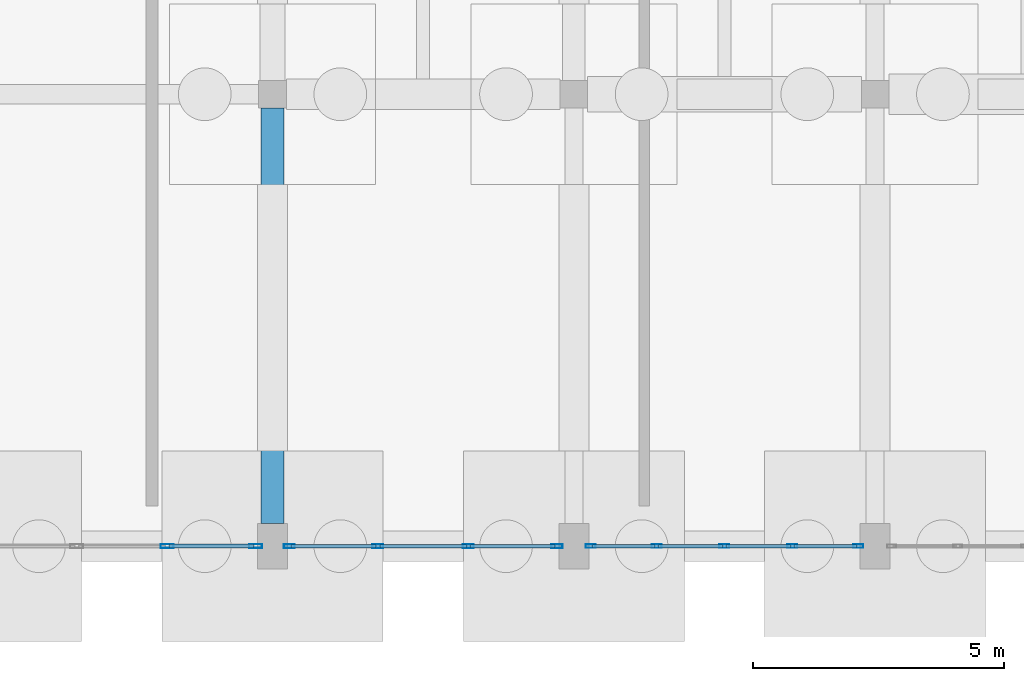
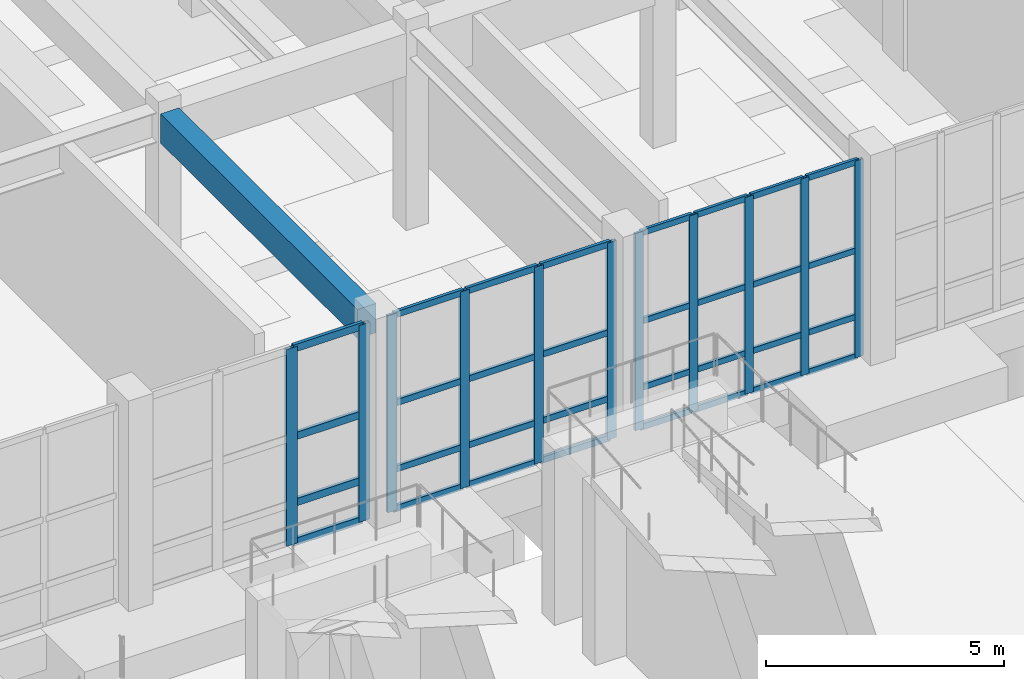
# One storey, part 24 of 69: 43 members, 1 beam, 3 elements without a shape of their own.
"""IFC4 building model written with IfcOpenShell, lengths in metres."""

from ifc_helpers import new_model, si_unit, direction, frame, origin, origin_2d, place, context, subcontext, project, spatial, rectangle, hollow_rectangle, extrude, material, layer, layer_set, material_profile, profile_set, type_object, element, aggregate, save


model = new_model("IFC4")

# Units and contexts
model_context = context("Model", 3, precision=1e-05, world=origin(), true_north=direction((0.0, 1.0)))
body_context = subcontext(model_context, "Body", "Model", "MODEL_VIEW")
ifc_project = project(units=[si_unit("LENGTHUNIT", "METRE"), si_unit("AREAUNIT", "SQUARE_METRE"), si_unit("VOLUMEUNIT", "CUBIC_METRE"), si_unit("PLANEANGLEUNIT", "RADIAN"), si_unit("MASSUNIT", "GRAM", prefix="KILO")], contexts=[model_context])

# Site, building, storey
site_placement = place(None, origin())
site = spatial("IfcSite", under=ifc_project, at=site_placement, CompositionType="ELEMENT")
building_placement = place(site_placement, origin())
building = spatial("IfcBuilding", under=site, at=building_placement, Name="Vaelkrest Opera House", CompositionType="ELEMENT")
storey_placement = place(building_placement, frame((0.0, 0.0, -5.39990234375)))
storey = spatial("IfcBuildingStorey", under=building, at=storey_placement, Name="B1", CompositionType="ELEMENT", Elevation=-5.39990234375)

# Beam
ifc_material_1 = material(Name="Concrete C50/60", Category="concrete")
ifc_material_profile_1 = material_profile(ifc_material_1, rectangle(XDim=0.449951171875, YDim=0.75, at=origin_2d()), Name="RCB450X750")
ifc_profile_set_1 = profile_set([ifc_material_profile_1], Name="Concrete C50/60")
beam_type = type_object("IfcBeamType", Name="B02", PredefinedType="BEAM", material=ifc_profile_set_1)
beam_placement = place(storey_placement, frame((-51.60009765625, -16.35009765625, 4.704833984375), z_axis=(0.0, 1.0, 0.0), x_axis=(-1.0, 0.0, 0.0)))
element("IfcBeam", 1, at=beam_placement, inside=storey, type_object=beam_type, Name="Beam BM-V3-B1-1335", PredefinedType="BEAM", context=body_context, shape_type="SweptSolid", body=[
    extrude(rectangle(XDim=0.449951171875, YDim=0.75, at=origin_2d()), origin(), (0.0, 0.0, 1.0), 8.275146484375),
])

# Curtain wall, members
ifc_material_2 = material(Name="Dark bronze anodized aluminium", Category="aluminium")
ifc_layer_1 = layer(ifc_material_2, 0.18994140625)
ifc_layer_set_1 = layer_set([ifc_layer_1], Name="Dark bronze anodized aluminium")
curtain_wall_type_1 = type_object("IfcCurtainWallType", Name="CW02", PredefinedType="NOTDEFINED", material=ifc_layer_set_1)
curtain_wall_1_placement = place(storey_placement, origin())
curtain_wall_1 = element("IfcCurtainWall", 2, at=curtain_wall_1_placement, inside=storey, type_object=curtain_wall_type_1, Name="Curtain wall CW-B1-082", PredefinedType="NOTDEFINED")
ifc_material_profile_2 = material_profile(ifc_material_2, hollow_rectangle(XDim=0.070068359375, YDim=0.199951171875, WallThickness=0.004150390625, at=origin_2d()), Name="CWM70X200")
ifc_profile_set_2 = profile_set([ifc_material_profile_2], Name="Dark bronze anodized aluminium")
member_type_1 = type_object("IfcMemberType", Name="CWM02", PredefinedType="MULLION", material=ifc_profile_set_2)
member_1_placement = place(storey_placement, frame((-39.93310546875, -16.800048828125, 0.0), z_axis=(0.0, 0.0, 1.0), x_axis=(0.0, -1.0, 0.0)))
member_1 = element("IfcMember", 3, at=member_1_placement, type_object=member_type_1, Name="CW02 mullion 1", PredefinedType="MULLION", context=body_context, shape_type="SweptSolid", body=[
    extrude(hollow_rectangle(XDim=0.070068359375, YDim=0.199951171875, WallThickness=0.004150390625, at=origin_2d()), origin(), (0.0, 0.0, 1.0), 5.0498046875),
])
member_2_placement = place(storey_placement, frame((-41.2490234375, -16.800048828125, 0.0), z_axis=(0.0, 0.0, 1.0), x_axis=(0.0, -1.0, 0.0)))
member_2 = element("IfcMember", 4, at=member_2_placement, type_object=member_type_1, Name="CW02 mullion 2", PredefinedType="MULLION", context=body_context, shape_type="SweptSolid", body=[
    extrude(hollow_rectangle(XDim=0.070068359375, YDim=0.199951171875, WallThickness=0.004150390625, at=origin_2d()), origin(), (0.0, 0.0, 1.0), 5.0498046875),
])
member_3_placement = place(storey_placement, frame((-42.60009765625, -16.800048828125, 0.0), z_axis=(0.0, 0.0, 1.0), x_axis=(0.0, -1.0, 0.0)))
member_3 = element("IfcMember", 5, at=member_3_placement, type_object=member_type_1, Name="CW02 mullion 3", PredefinedType="MULLION", context=body_context, shape_type="SweptSolid", body=[
    extrude(hollow_rectangle(XDim=0.070068359375, YDim=0.199951171875, WallThickness=0.004150390625, at=origin_2d()), origin(), (0.0, 0.0, 1.0), 5.0498046875),
])
member_4_placement = place(storey_placement, frame((-43.950927734375, -16.800048828125, 0.0), z_axis=(0.0, 0.0, 1.0), x_axis=(0.0, -1.0, 0.0)))
member_4 = element("IfcMember", 6, at=member_4_placement, type_object=member_type_1, Name="CW02 mullion 4", PredefinedType="MULLION", context=body_context, shape_type="SweptSolid", body=[
    extrude(hollow_rectangle(XDim=0.070068359375, YDim=0.199951171875, WallThickness=0.004150390625, at=origin_2d()), origin(), (0.0, 0.0, 1.0), 5.0498046875),
])
member_5_placement = place(storey_placement, frame((-45.26708984375, -16.800048828125, 0.0), z_axis=(0.0, 0.0, 1.0), x_axis=(0.0, -1.0, 0.0)))
member_5 = element("IfcMember", 7, at=member_5_placement, type_object=member_type_1, Name="CW02 mullion 5", PredefinedType="MULLION", context=body_context, shape_type="SweptSolid", body=[
    extrude(hollow_rectangle(XDim=0.070068359375, YDim=0.199951171875, WallThickness=0.004150390625, at=origin_2d()), origin(), (0.0, 0.0, 1.0), 5.0498046875),
])

ifc_layer_2 = layer(ifc_material_2, 0.199951171875)
ifc_layer_set_2 = layer_set([ifc_layer_2], Name="Dark bronze anodized aluminium")
curtain_wall_type_2 = type_object("IfcCurtainWallType", Name="CW03", PredefinedType="NOTDEFINED", material=ifc_layer_set_2)
curtain_wall_2_placement = place(storey_placement, origin())
curtain_wall_2 = element("IfcCurtainWall", 8, at=curtain_wall_2_placement, inside=storey, type_object=curtain_wall_type_2, Name="Curtain wall CW-B1-083", PredefinedType="NOTDEFINED")
ifc_material_profile_3 = material_profile(ifc_material_2, hollow_rectangle(XDim=0.074951171875, YDim=0.219970703125, WallThickness=0.00439453125, at=origin_2d()), Name="CWM75X220")
ifc_profile_set_3 = profile_set([ifc_material_profile_3], Name="Dark bronze anodized aluminium")
member_type_2 = type_object("IfcMemberType", Name="CWM03", PredefinedType="MULLION", material=ifc_profile_set_3)
member_6_placement = place(storey_placement, frame((-45.935546875, -16.800048828125, 0.0), z_axis=(0.0, 0.0, 1.0), x_axis=(0.0, -1.0, 0.0)))
member_6 = element("IfcMember", 9, at=member_6_placement, type_object=member_type_2, Name="CW03 mullion 1", PredefinedType="MULLION", context=body_context, shape_type="SweptSolid", body=[
    extrude(hollow_rectangle(XDim=0.074951171875, YDim=0.219970703125, WallThickness=0.00439453125, at=origin_2d()), origin(), (0.0, 0.0, 1.0), 5.0498046875),
])
member_7_placement = place(storey_placement, frame((-47.69921875, -16.800048828125, 0.0), z_axis=(0.0, 0.0, 1.0), x_axis=(0.0, -1.0, 0.0)))
member_7 = element("IfcMember", 10, at=member_7_placement, type_object=member_type_2, Name="CW03 mullion 2", PredefinedType="MULLION", context=body_context, shape_type="SweptSolid", body=[
    extrude(hollow_rectangle(XDim=0.074951171875, YDim=0.219970703125, WallThickness=0.00439453125, at=origin_2d()), origin(), (0.0, 0.0, 1.0), 5.0498046875),
])
member_8_placement = place(storey_placement, frame((-49.500732421875, -16.800048828125, 0.0), z_axis=(0.0, 0.0, 1.0), x_axis=(0.0, -1.0, 0.0)))
member_8 = element("IfcMember", 11, at=member_8_placement, type_object=member_type_2, Name="CW03 mullion 3", PredefinedType="MULLION", context=body_context, shape_type="SweptSolid", body=[
    extrude(hollow_rectangle(XDim=0.074951171875, YDim=0.219970703125, WallThickness=0.00439453125, at=origin_2d()), origin(), (0.0, 0.0, 1.0), 5.0498046875),
])
member_9_placement = place(storey_placement, frame((-51.264404296875, -16.800048828125, 0.0), z_axis=(0.0, 0.0, 1.0), x_axis=(0.0, -1.0, 0.0)))
member_9 = element("IfcMember", 12, at=member_9_placement, type_object=member_type_2, Name="CW03 mullion 4", PredefinedType="MULLION", context=body_context, shape_type="SweptSolid", body=[
    extrude(hollow_rectangle(XDim=0.074951171875, YDim=0.219970703125, WallThickness=0.00439453125, at=origin_2d()), origin(), (0.0, 0.0, 1.0), 5.0498046875),
])

ifc_layer_3 = layer(ifc_material_2, 0.2099609375)
ifc_layer_set_3 = layer_set([ifc_layer_3], Name="Dark bronze anodized aluminium")
curtain_wall_type_3 = type_object("IfcCurtainWallType", Name="CW04", PredefinedType="NOTDEFINED", material=ifc_layer_set_3)
curtain_wall_3_placement = place(storey_placement, origin())
curtain_wall_3 = element("IfcCurtainWall", 13, at=curtain_wall_3_placement, inside=storey, type_object=curtain_wall_type_3, Name="Curtain wall CW-B1-084", PredefinedType="NOTDEFINED")
ifc_material_profile_4 = material_profile(ifc_material_2, hollow_rectangle(XDim=0.080078125, YDim=0.260009765625, WallThickness=0.0048828125, at=origin_2d()), Name="CWM80X260")
ifc_profile_set_4 = profile_set([ifc_material_profile_4], Name="Dark bronze anodized aluminium")
member_type_3 = type_object("IfcMemberType", Name="CWM04", PredefinedType="MULLION", material=ifc_profile_set_4)
member_10_placement = place(storey_placement, frame((-51.93798828125, -16.800048828125, 0.0), z_axis=(0.0, 0.0, 1.0), x_axis=(0.0, -1.0, 0.0)))
member_10 = element("IfcMember", 14, at=member_10_placement, type_object=member_type_3, Name="CW04 mullion 1", PredefinedType="MULLION", context=body_context, shape_type="SweptSolid", body=[
    extrude(hollow_rectangle(XDim=0.080078125, YDim=0.260009765625, WallThickness=0.0048828125, at=origin_2d()), origin(), (0.0, 0.0, 1.0), 5.0498046875),
])
member_11_placement = place(storey_placement, frame((-53.69921875, -16.800048828125, 0.0), z_axis=(0.0, 0.0, 1.0), x_axis=(0.0, -1.0, 0.0)))
member_11 = element("IfcMember", 15, at=member_11_placement, type_object=member_type_3, Name="CW04 mullion 2", PredefinedType="MULLION", context=body_context, shape_type="SweptSolid", body=[
    extrude(hollow_rectangle(XDim=0.080078125, YDim=0.260009765625, WallThickness=0.0048828125, at=origin_2d()), origin(), (0.0, 0.0, 1.0), 5.0498046875),
])

# Member
ifc_material_profile_5 = material_profile(ifc_material_2, hollow_rectangle(XDim=0.070068359375, YDim=0.14990234375, WallThickness=0.004150390625, at=origin_2d()), Name="CWT70X150")
ifc_profile_set_5 = profile_set([ifc_material_profile_5], Name="Dark bronze anodized aluminium")
member_type_4 = type_object("IfcMemberType", Name="CWT02", PredefinedType="USERDEFINED", material=ifc_profile_set_5)
member_12_placement = place(storey_placement, frame((-39.968017578125, -16.800048828125, 0.034912109375), z_axis=(-1.0, 0.0, 0.0), x_axis=(0.0, -1.0, 0.0)))
member_12 = element("IfcMember", 16, at=member_12_placement, type_object=member_type_4, Name="CW02 transom 1.1", ObjectType="TRANSOM", PredefinedType="USERDEFINED", context=body_context, shape_type="SweptSolid", body=[
    extrude(hollow_rectangle(XDim=0.070068359375, YDim=0.14990234375, WallThickness=0.004150390625, at=origin_2d()), origin(), (0.0, 0.0, 1.0), 1.24609375),
])

member_13_placement = place(storey_placement, frame((-39.968017578125, -16.800048828125, 1.0498046875), z_axis=(-1.0, 0.0, 0.0), x_axis=(0.0, -1.0, 0.0)))
member_13 = element("IfcMember", 17, at=member_13_placement, type_object=member_type_4, Name="CW02 transom 1.2", ObjectType="TRANSOM", PredefinedType="USERDEFINED", context=body_context, shape_type="SweptSolid", body=[
    extrude(hollow_rectangle(XDim=0.070068359375, YDim=0.14990234375, WallThickness=0.004150390625, at=origin_2d()), origin(), (0.0, 0.0, 1.0), 1.24609375),
])

member_14_placement = place(storey_placement, frame((-39.968017578125, -16.800048828125, 2.75), z_axis=(-1.0, 0.0, 0.0), x_axis=(0.0, -1.0, 0.0)))
member_14 = element("IfcMember", 18, at=member_14_placement, type_object=member_type_4, Name="CW02 transom 1.3", ObjectType="TRANSOM", PredefinedType="USERDEFINED", context=body_context, shape_type="SweptSolid", body=[
    extrude(hollow_rectangle(XDim=0.070068359375, YDim=0.14990234375, WallThickness=0.004150390625, at=origin_2d()), origin(), (0.0, 0.0, 1.0), 1.24609375),
])

member_15_placement = place(storey_placement, frame((-39.968017578125, -16.800048828125, 5.014892578125), z_axis=(-1.0, 0.0, 0.0), x_axis=(0.0, -1.0, 0.0)))
member_15 = element("IfcMember", 19, at=member_15_placement, type_object=member_type_4, Name="CW02 transom 1.4", ObjectType="TRANSOM", PredefinedType="USERDEFINED", context=body_context, shape_type="SweptSolid", body=[
    extrude(hollow_rectangle(XDim=0.070068359375, YDim=0.14990234375, WallThickness=0.004150390625, at=origin_2d()), origin(), (0.0, 0.0, 1.0), 1.24609375),
])

member_16_placement = place(storey_placement, frame((-41.283935546875, -16.800048828125, 0.034912109375), z_axis=(-1.0, 0.0, 0.0), x_axis=(0.0, -1.0, 0.0)))
member_16 = element("IfcMember", 20, at=member_16_placement, type_object=member_type_4, Name="CW02 transom 2.1", ObjectType="TRANSOM", PredefinedType="USERDEFINED", context=body_context, shape_type="SweptSolid", body=[
    extrude(hollow_rectangle(XDim=0.070068359375, YDim=0.14990234375, WallThickness=0.004150390625, at=origin_2d()), origin(), (0.0, 0.0, 1.0), 1.281005859375),
])

member_17_placement = place(storey_placement, frame((-41.283935546875, -16.800048828125, 1.0498046875), z_axis=(-1.0, 0.0, 0.0), x_axis=(0.0, -1.0, 0.0)))
member_17 = element("IfcMember", 21, at=member_17_placement, type_object=member_type_4, Name="CW02 transom 2.2", ObjectType="TRANSOM", PredefinedType="USERDEFINED", context=body_context, shape_type="SweptSolid", body=[
    extrude(hollow_rectangle(XDim=0.070068359375, YDim=0.14990234375, WallThickness=0.004150390625, at=origin_2d()), origin(), (0.0, 0.0, 1.0), 1.281005859375),
])

member_18_placement = place(storey_placement, frame((-41.283935546875, -16.800048828125, 2.75), z_axis=(-1.0, 0.0, 0.0), x_axis=(0.0, -1.0, 0.0)))
member_18 = element("IfcMember", 22, at=member_18_placement, type_object=member_type_4, Name="CW02 transom 2.3", ObjectType="TRANSOM", PredefinedType="USERDEFINED", context=body_context, shape_type="SweptSolid", body=[
    extrude(hollow_rectangle(XDim=0.070068359375, YDim=0.14990234375, WallThickness=0.004150390625, at=origin_2d()), origin(), (0.0, 0.0, 1.0), 1.281005859375),
])

member_19_placement = place(storey_placement, frame((-41.283935546875, -16.800048828125, 5.014892578125), z_axis=(-1.0, 0.0, 0.0), x_axis=(0.0, -1.0, 0.0)))
member_19 = element("IfcMember", 23, at=member_19_placement, type_object=member_type_4, Name="CW02 transom 2.4", ObjectType="TRANSOM", PredefinedType="USERDEFINED", context=body_context, shape_type="SweptSolid", body=[
    extrude(hollow_rectangle(XDim=0.070068359375, YDim=0.14990234375, WallThickness=0.004150390625, at=origin_2d()), origin(), (0.0, 0.0, 1.0), 1.281005859375),
])

member_20_placement = place(storey_placement, frame((-42.635009765625, -16.800048828125, 0.034912109375), z_axis=(-1.0, 0.0, 0.0), x_axis=(0.0, -1.0, 0.0)))
member_20 = element("IfcMember", 24, at=member_20_placement, type_object=member_type_4, Name="CW02 transom 3.1", ObjectType="TRANSOM", PredefinedType="USERDEFINED", context=body_context, shape_type="SweptSolid", body=[
    extrude(hollow_rectangle(XDim=0.070068359375, YDim=0.14990234375, WallThickness=0.004150390625, at=origin_2d()), origin(), (0.0, 0.0, 1.0), 1.281005859375),
])

member_21_placement = place(storey_placement, frame((-42.635009765625, -16.800048828125, 1.0498046875), z_axis=(-1.0, 0.0, 0.0), x_axis=(0.0, -1.0, 0.0)))
member_21 = element("IfcMember", 25, at=member_21_placement, type_object=member_type_4, Name="CW02 transom 3.2", ObjectType="TRANSOM", PredefinedType="USERDEFINED", context=body_context, shape_type="SweptSolid", body=[
    extrude(hollow_rectangle(XDim=0.070068359375, YDim=0.14990234375, WallThickness=0.004150390625, at=origin_2d()), origin(), (0.0, 0.0, 1.0), 1.281005859375),
])

member_22_placement = place(storey_placement, frame((-42.635009765625, -16.800048828125, 2.75), z_axis=(-1.0, 0.0, 0.0), x_axis=(0.0, -1.0, 0.0)))
member_22 = element("IfcMember", 26, at=member_22_placement, type_object=member_type_4, Name="CW02 transom 3.3", ObjectType="TRANSOM", PredefinedType="USERDEFINED", context=body_context, shape_type="SweptSolid", body=[
    extrude(hollow_rectangle(XDim=0.070068359375, YDim=0.14990234375, WallThickness=0.004150390625, at=origin_2d()), origin(), (0.0, 0.0, 1.0), 1.281005859375),
])

member_23_placement = place(storey_placement, frame((-42.635009765625, -16.800048828125, 5.014892578125), z_axis=(-1.0, 0.0, 0.0), x_axis=(0.0, -1.0, 0.0)))
member_23 = element("IfcMember", 27, at=member_23_placement, type_object=member_type_4, Name="CW02 transom 3.4", ObjectType="TRANSOM", PredefinedType="USERDEFINED", context=body_context, shape_type="SweptSolid", body=[
    extrude(hollow_rectangle(XDim=0.070068359375, YDim=0.14990234375, WallThickness=0.004150390625, at=origin_2d()), origin(), (0.0, 0.0, 1.0), 1.281005859375),
])

member_24_placement = place(storey_placement, frame((-43.986083984375, -16.800048828125, 0.034912109375), z_axis=(-1.0, 0.0, 0.0), x_axis=(0.0, -1.0, 0.0)))
member_24 = element("IfcMember", 28, at=member_24_placement, type_object=member_type_4, Name="CW02 transom 4.1", ObjectType="TRANSOM", PredefinedType="USERDEFINED", context=body_context, shape_type="SweptSolid", body=[
    extrude(hollow_rectangle(XDim=0.070068359375, YDim=0.14990234375, WallThickness=0.004150390625, at=origin_2d()), origin(), (0.0, 0.0, 1.0), 1.245849609375),
])

member_25_placement = place(storey_placement, frame((-43.986083984375, -16.800048828125, 1.0498046875), z_axis=(-1.0, 0.0, 0.0), x_axis=(0.0, -1.0, 0.0)))
member_25 = element("IfcMember", 29, at=member_25_placement, type_object=member_type_4, Name="CW02 transom 4.2", ObjectType="TRANSOM", PredefinedType="USERDEFINED", context=body_context, shape_type="SweptSolid", body=[
    extrude(hollow_rectangle(XDim=0.070068359375, YDim=0.14990234375, WallThickness=0.004150390625, at=origin_2d()), origin(), (0.0, 0.0, 1.0), 1.245849609375),
])

member_26_placement = place(storey_placement, frame((-43.986083984375, -16.800048828125, 2.75), z_axis=(-1.0, 0.0, 0.0), x_axis=(0.0, -1.0, 0.0)))
member_26 = element("IfcMember", 30, at=member_26_placement, type_object=member_type_4, Name="CW02 transom 4.3", ObjectType="TRANSOM", PredefinedType="USERDEFINED", context=body_context, shape_type="SweptSolid", body=[
    extrude(hollow_rectangle(XDim=0.070068359375, YDim=0.14990234375, WallThickness=0.004150390625, at=origin_2d()), origin(), (0.0, 0.0, 1.0), 1.245849609375),
])

member_27_placement = place(storey_placement, frame((-43.986083984375, -16.800048828125, 5.014892578125), z_axis=(-1.0, 0.0, 0.0), x_axis=(0.0, -1.0, 0.0)))
member_27 = element("IfcMember", 31, at=member_27_placement, type_object=member_type_4, Name="CW02 transom 4.4", ObjectType="TRANSOM", PredefinedType="USERDEFINED", context=body_context, shape_type="SweptSolid", body=[
    extrude(hollow_rectangle(XDim=0.070068359375, YDim=0.14990234375, WallThickness=0.004150390625, at=origin_2d()), origin(), (0.0, 0.0, 1.0), 1.245849609375),
])

aggregate(curtain_wall_1, [member_1, member_2, member_3, member_4, member_5, member_12, member_13, member_14, member_15, member_16, member_17, member_18, member_19, member_20, member_21, member_22, member_23, member_24, member_25, member_26, member_27])

ifc_material_profile_6 = material_profile(ifc_material_2, hollow_rectangle(XDim=0.074951171875, YDim=0.159912109375, WallThickness=0.00439453125, at=origin_2d()), Name="CWT75X160")
ifc_profile_set_6 = profile_set([ifc_material_profile_6], Name="Dark bronze anodized aluminium")
member_type_5 = type_object("IfcMemberType", Name="CWT03", PredefinedType="USERDEFINED", material=ifc_profile_set_6)
member_28_placement = place(storey_placement, frame((-45.972900390625, -16.800048828125, 0.037353515625), z_axis=(-1.0, 0.0, 0.0), x_axis=(0.0, -1.0, 0.0)))
member_28 = element("IfcMember", 32, at=member_28_placement, type_object=member_type_5, Name="CW03 transom 1.1", ObjectType="TRANSOM", PredefinedType="USERDEFINED", context=body_context, shape_type="SweptSolid", body=[
    extrude(hollow_rectangle(XDim=0.074951171875, YDim=0.159912109375, WallThickness=0.00439453125, at=origin_2d()), origin(), (0.0, 0.0, 1.0), 1.68896484375),
])

member_29_placement = place(storey_placement, frame((-45.972900390625, -16.800048828125, 1.0498046875), z_axis=(-1.0, 0.0, 0.0), x_axis=(0.0, -1.0, 0.0)))
member_29 = element("IfcMember", 33, at=member_29_placement, type_object=member_type_5, Name="CW03 transom 1.2", ObjectType="TRANSOM", PredefinedType="USERDEFINED", context=body_context, shape_type="SweptSolid", body=[
    extrude(hollow_rectangle(XDim=0.074951171875, YDim=0.159912109375, WallThickness=0.00439453125, at=origin_2d()), origin(), (0.0, 0.0, 1.0), 1.68896484375),
])

member_30_placement = place(storey_placement, frame((-45.972900390625, -16.800048828125, 2.75), z_axis=(-1.0, 0.0, 0.0), x_axis=(0.0, -1.0, 0.0)))
member_30 = element("IfcMember", 34, at=member_30_placement, type_object=member_type_5, Name="CW03 transom 1.3", ObjectType="TRANSOM", PredefinedType="USERDEFINED", context=body_context, shape_type="SweptSolid", body=[
    extrude(hollow_rectangle(XDim=0.074951171875, YDim=0.159912109375, WallThickness=0.00439453125, at=origin_2d()), origin(), (0.0, 0.0, 1.0), 1.68896484375),
])

member_31_placement = place(storey_placement, frame((-45.972900390625, -16.800048828125, 5.012451171875), z_axis=(-1.0, 0.0, 0.0), x_axis=(0.0, -1.0, 0.0)))
member_31 = element("IfcMember", 35, at=member_31_placement, type_object=member_type_5, Name="CW03 transom 1.4", ObjectType="TRANSOM", PredefinedType="USERDEFINED", context=body_context, shape_type="SweptSolid", body=[
    extrude(hollow_rectangle(XDim=0.074951171875, YDim=0.159912109375, WallThickness=0.00439453125, at=origin_2d()), origin(), (0.0, 0.0, 1.0), 1.68896484375),
])

member_32_placement = place(storey_placement, frame((-47.73681640625, -16.800048828125, 0.037353515625), z_axis=(-1.0, 0.0, 0.0), x_axis=(0.0, -1.0, 0.0)))
member_32 = element("IfcMember", 36, at=member_32_placement, type_object=member_type_5, Name="CW03 transom 2.1", ObjectType="TRANSOM", PredefinedType="USERDEFINED", context=body_context, shape_type="SweptSolid", body=[
    extrude(hollow_rectangle(XDim=0.074951171875, YDim=0.159912109375, WallThickness=0.00439453125, at=origin_2d()), origin(), (0.0, 0.0, 1.0), 1.726318359375),
])

member_33_placement = place(storey_placement, frame((-47.73681640625, -16.800048828125, 1.0498046875), z_axis=(-1.0, 0.0, 0.0), x_axis=(0.0, -1.0, 0.0)))
member_33 = element("IfcMember", 37, at=member_33_placement, type_object=member_type_5, Name="CW03 transom 2.2", ObjectType="TRANSOM", PredefinedType="USERDEFINED", context=body_context, shape_type="SweptSolid", body=[
    extrude(hollow_rectangle(XDim=0.074951171875, YDim=0.159912109375, WallThickness=0.00439453125, at=origin_2d()), origin(), (0.0, 0.0, 1.0), 1.726318359375),
])

member_34_placement = place(storey_placement, frame((-47.73681640625, -16.800048828125, 2.75), z_axis=(-1.0, 0.0, 0.0), x_axis=(0.0, -1.0, 0.0)))
member_34 = element("IfcMember", 38, at=member_34_placement, type_object=member_type_5, Name="CW03 transom 2.3", ObjectType="TRANSOM", PredefinedType="USERDEFINED", context=body_context, shape_type="SweptSolid", body=[
    extrude(hollow_rectangle(XDim=0.074951171875, YDim=0.159912109375, WallThickness=0.00439453125, at=origin_2d()), origin(), (0.0, 0.0, 1.0), 1.726318359375),
])

member_35_placement = place(storey_placement, frame((-47.73681640625, -16.800048828125, 5.012451171875), z_axis=(-1.0, 0.0, 0.0), x_axis=(0.0, -1.0, 0.0)))
member_35 = element("IfcMember", 39, at=member_35_placement, type_object=member_type_5, Name="CW03 transom 2.4", ObjectType="TRANSOM", PredefinedType="USERDEFINED", context=body_context, shape_type="SweptSolid", body=[
    extrude(hollow_rectangle(XDim=0.074951171875, YDim=0.159912109375, WallThickness=0.00439453125, at=origin_2d()), origin(), (0.0, 0.0, 1.0), 1.726318359375),
])

member_36_placement = place(storey_placement, frame((-49.5380859375, -16.800048828125, 0.037353515625), z_axis=(-1.0, 0.0, 0.0), x_axis=(0.0, -1.0, 0.0)))
member_36 = element("IfcMember", 40, at=member_36_placement, type_object=member_type_5, Name="CW03 transom 3.1", ObjectType="TRANSOM", PredefinedType="USERDEFINED", context=body_context, shape_type="SweptSolid", body=[
    extrude(hollow_rectangle(XDim=0.074951171875, YDim=0.159912109375, WallThickness=0.00439453125, at=origin_2d()), origin(), (0.0, 0.0, 1.0), 1.68896484375),
])

member_37_placement = place(storey_placement, frame((-49.5380859375, -16.800048828125, 1.0498046875), z_axis=(-1.0, 0.0, 0.0), x_axis=(0.0, -1.0, 0.0)))
member_37 = element("IfcMember", 41, at=member_37_placement, type_object=member_type_5, Name="CW03 transom 3.2", ObjectType="TRANSOM", PredefinedType="USERDEFINED", context=body_context, shape_type="SweptSolid", body=[
    extrude(hollow_rectangle(XDim=0.074951171875, YDim=0.159912109375, WallThickness=0.00439453125, at=origin_2d()), origin(), (0.0, 0.0, 1.0), 1.68896484375),
])

member_38_placement = place(storey_placement, frame((-49.5380859375, -16.800048828125, 2.75), z_axis=(-1.0, 0.0, 0.0), x_axis=(0.0, -1.0, 0.0)))
member_38 = element("IfcMember", 42, at=member_38_placement, type_object=member_type_5, Name="CW03 transom 3.3", ObjectType="TRANSOM", PredefinedType="USERDEFINED", context=body_context, shape_type="SweptSolid", body=[
    extrude(hollow_rectangle(XDim=0.074951171875, YDim=0.159912109375, WallThickness=0.00439453125, at=origin_2d()), origin(), (0.0, 0.0, 1.0), 1.68896484375),
])

member_39_placement = place(storey_placement, frame((-49.5380859375, -16.800048828125, 5.012451171875), z_axis=(-1.0, 0.0, 0.0), x_axis=(0.0, -1.0, 0.0)))
member_39 = element("IfcMember", 43, at=member_39_placement, type_object=member_type_5, Name="CW03 transom 3.4", ObjectType="TRANSOM", PredefinedType="USERDEFINED", context=body_context, shape_type="SweptSolid", body=[
    extrude(hollow_rectangle(XDim=0.074951171875, YDim=0.159912109375, WallThickness=0.00439453125, at=origin_2d()), origin(), (0.0, 0.0, 1.0), 1.68896484375),
])

aggregate(curtain_wall_2, [member_6, member_7, member_8, member_9, member_28, member_29, member_30, member_31, member_32, member_33, member_34, member_35, member_36, member_37, member_38, member_39])

ifc_material_profile_7 = material_profile(ifc_material_2, hollow_rectangle(XDim=0.080078125, YDim=0.18994140625, WallThickness=0.0048828125, at=origin_2d()), Name="CWT80X190")
ifc_profile_set_7 = profile_set([ifc_material_profile_7], Name="Dark bronze anodized aluminium")
member_type_6 = type_object("IfcMemberType", Name="CWT04", PredefinedType="USERDEFINED", material=ifc_profile_set_7)
member_40_placement = place(storey_placement, frame((-51.97802734375, -16.800048828125, 0.039794921875), z_axis=(-1.0, 0.0, 0.0), x_axis=(0.0, -1.0, 0.0)))
member_40 = element("IfcMember", 44, at=member_40_placement, type_object=member_type_6, Name="CW04 transom 1.1", ObjectType="TRANSOM", PredefinedType="USERDEFINED", context=body_context, shape_type="SweptSolid", body=[
    extrude(hollow_rectangle(XDim=0.080078125, YDim=0.18994140625, WallThickness=0.0048828125, at=origin_2d()), origin(), (0.0, 0.0, 1.0), 1.681396484375),
])

member_41_placement = place(storey_placement, frame((-51.97802734375, -16.800048828125, 1.0498046875), z_axis=(-1.0, 0.0, 0.0), x_axis=(0.0, -1.0, 0.0)))
member_41 = element("IfcMember", 45, at=member_41_placement, type_object=member_type_6, Name="CW04 transom 1.2", ObjectType="TRANSOM", PredefinedType="USERDEFINED", context=body_context, shape_type="SweptSolid", body=[
    extrude(hollow_rectangle(XDim=0.080078125, YDim=0.18994140625, WallThickness=0.0048828125, at=origin_2d()), origin(), (0.0, 0.0, 1.0), 1.681396484375),
])

member_42_placement = place(storey_placement, frame((-51.97802734375, -16.800048828125, 2.75), z_axis=(-1.0, 0.0, 0.0), x_axis=(0.0, -1.0, 0.0)))
member_42 = element("IfcMember", 46, at=member_42_placement, type_object=member_type_6, Name="CW04 transom 1.3", ObjectType="TRANSOM", PredefinedType="USERDEFINED", context=body_context, shape_type="SweptSolid", body=[
    extrude(hollow_rectangle(XDim=0.080078125, YDim=0.18994140625, WallThickness=0.0048828125, at=origin_2d()), origin(), (0.0, 0.0, 1.0), 1.681396484375),
])

member_43_placement = place(storey_placement, frame((-51.97802734375, -16.800048828125, 5.010009765625), z_axis=(-1.0, 0.0, 0.0), x_axis=(0.0, -1.0, 0.0)))
member_43 = element("IfcMember", 47, at=member_43_placement, type_object=member_type_6, Name="CW04 transom 1.4", ObjectType="TRANSOM", PredefinedType="USERDEFINED", context=body_context, shape_type="SweptSolid", body=[
    extrude(hollow_rectangle(XDim=0.080078125, YDim=0.18994140625, WallThickness=0.0048828125, at=origin_2d()), origin(), (0.0, 0.0, 1.0), 1.681396484375),
])

aggregate(curtain_wall_3, [member_10, member_11, member_40, member_41, member_42, member_43])

save(model, "model.ifc")
